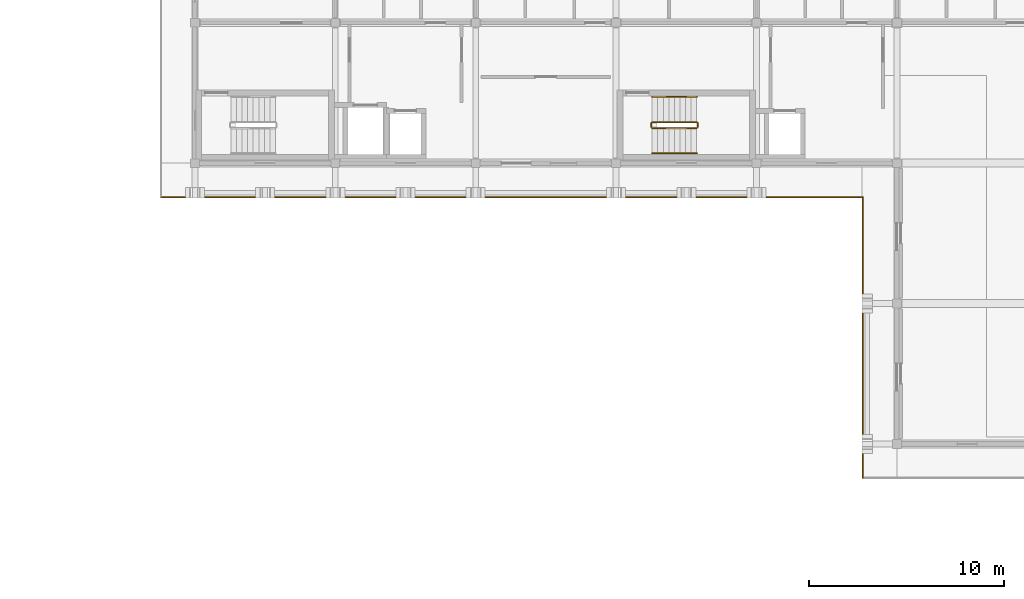
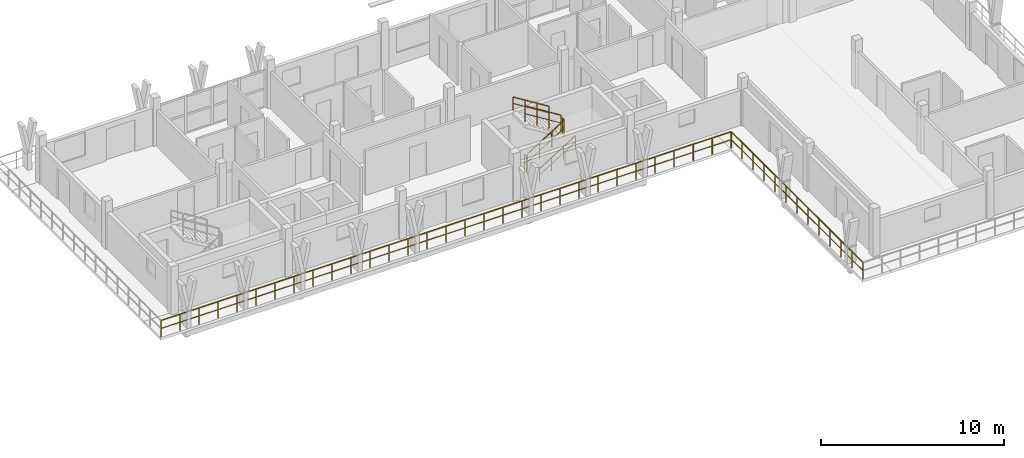
# One storey, part 55 of 56: 8 railings.
"""IFC4 building model written with IfcOpenShell, lengths in metres."""

import ifcopenshell
import ifcopenshell.guid

model = None  # the IFC model being written
_history = None  # IfcOwnerHistory: only IFC2X3 demands one
_inside = {}  # id of a spatial element -> (the spatial element, [elements in it])
_under = {}  # id of a project, library or spatial element -> (it, [spatial elements below it])
_declared = {}  # id of a project -> (the project, [libraries it declares])
_typed = {}  # id of a type object -> (the type object, [elements of that type])
_made_of = {}  # id of a material, layer set ... -> (it, [elements and type objects made of it])


def new_model(schema):
    """Start an empty IFC model of exactly this schema.

    Asked for "IFC4X3", IfcOpenShell would pick the latest addendum, in which some entities
    have other attributes; the version numbers below select the first issue.
    IFC2X3 requires an IfcOwnerHistory on every rooted entity: one is made here for all.
    """
    global model, _history
    if schema == "IFC4X3":
        model = ifcopenshell.file(schema_version=(4, 3, 0, 0))
    else:
        model = ifcopenshell.file(schema=schema)
    _inside.clear()
    _under.clear()
    _declared.clear()
    _typed.clear()
    _made_of.clear()
    _history = None
    if model.schema == "IFC2X3":
        org = make("IfcOrganization", Name="unknown")
        user = make(
            "IfcPersonAndOrganization",
            ThePerson=make("IfcPerson", FamilyName="unknown"),
            TheOrganization=org,
        )
        app = make(
            "IfcApplication",
            ApplicationDeveloper=org,
            Version="unknown",
            ApplicationFullName="unknown",
            ApplicationIdentifier="unknown",
        )
        _history = make(
            "IfcOwnerHistory",
            OwningUser=user,
            OwningApplication=app,
            ChangeAction="ADDED",
            CreationDate=0,
        )
    return model


def make(cls, **values):
    """One entity of the class cls with the attributes given. An attribute that is None is left unset."""
    return model.create_entity(
        cls, **{name: value for name, value in values.items() if value is not None}
    )


def rooted(cls, **values):
    """An entity with a GlobalId (a new one), such as an element, a storey or a relation."""
    return make(cls, GlobalId=ifcopenshell.guid.new(), OwnerHistory=_history, **values)


def si_unit(unit_type, name, prefix=None):
    """IfcSIUnit, for example si_unit("LENGTHUNIT", "METRE", prefix="MILLI")."""
    return make("IfcSIUnit", UnitType=unit_type, Prefix=prefix, Name=name)


def assignment(units):
    """IfcUnitAssignment: the units of a project."""
    return None if units is None else make("IfcUnitAssignment", Units=units)


def point(xyz):
    """IfcCartesianPoint."""
    return None if xyz is None else make("IfcCartesianPoint", Coordinates=xyz)


def direction(xyz):
    """IfcDirection."""
    return None if xyz is None else make("IfcDirection", DirectionRatios=xyz)


def frame(location, z_axis=None, x_axis=None):
    """IfcAxis2Placement3D, a coordinate frame: its origin and axes. An axis left out is left unset."""
    return make(
        "IfcAxis2Placement3D",
        Location=point(location),
        Axis=direction(z_axis),
        RefDirection=direction(x_axis),
    )


def frame_2d(location, x_axis=None):
    """IfcAxis2Placement2D, a coordinate frame in the plane: its origin and x axis."""
    return make(
        "IfcAxis2Placement2D", Location=point(location), RefDirection=direction(x_axis)
    )


def origin():
    """The frame at (0, 0, 0) with its axes left unset."""
    return frame((0.0, 0.0, 0.0))


def origin_2d():
    """The frame at (0, 0) in the plane with its x axis left unset."""
    return frame_2d((0.0, 0.0))


def place(relative_to, where):
    """IfcLocalPlacement: puts the frame where relative to a parent placement (None: the world)."""
    return make(
        "IfcLocalPlacement", PlacementRelTo=relative_to, RelativePlacement=where
    )


def context(
    kind, dimensions, precision=None, world=None, true_north=None, identifier=None
):
    """IfcGeometricRepresentationContext, for example the 3D "Model" context."""
    return make(
        "IfcGeometricRepresentationContext",
        ContextIdentifier=identifier,
        ContextType=kind,
        CoordinateSpaceDimension=dimensions,
        Precision=precision,
        WorldCoordinateSystem=world,
        TrueNorth=true_north,
    )


def subcontext(parent, identifier, kind, view, scale=None):
    """IfcGeometricRepresentationSubContext, for example "Body" below "Model"."""
    return make(
        "IfcGeometricRepresentationSubContext",
        ContextIdentifier=identifier,
        ContextType=kind,
        ParentContext=parent,
        TargetScale=scale,
        TargetView=view,
    )


def project(units=None, contexts=None):
    """IfcProject with its units and contexts."""
    return rooted(
        "IfcProject",
        Name="project",
        RepresentationContexts=contexts,
        UnitsInContext=assignment(units),
    )


def spatial(cls, under=None, at=None, **own):
    """A site, building, storey or space (cls), placed at a placement, below another one or the project."""
    s = rooted(cls, ObjectPlacement=at, **own)
    if under is not None:
        _under.setdefault(under.id(), (under, []))[1].append(s)
    return s


def profile(cls, at=None, kind="AREA", **sizes):
    """A parametric profile (cls). Its sizes go by their IFC names, for example OverallWidth=200.0."""
    return make(cls, ProfileType=kind, Position=at, **sizes)


def rectangle(**sizes):
    """IfcRectangleProfileDef."""
    return profile("IfcRectangleProfileDef", **sizes)


def extrude(swept, where, along, depth):
    """IfcExtrudedAreaSolid: the profile swept, set in the frame where, extruded along a direction by depth."""
    return make(
        "IfcExtrudedAreaSolid",
        SweptArea=swept,
        Position=where,
        ExtrudedDirection=direction(along),
        Depth=depth,
    )


def shape(context_of_items, identifier, shape_type, items):
    """IfcShapeRepresentation: the items that make up one representation, for example the "Body"."""
    return make(
        "IfcShapeRepresentation",
        ContextOfItems=context_of_items,
        RepresentationIdentifier=identifier,
        RepresentationType=shape_type,
        Items=items,
    )


def material(Name=None, Category=None):
    """IfcMaterial."""
    return make("IfcMaterial", Name=Name, Category=Category)


def made_of(thing, what):
    """Note that an element or type object is made of a material, layer set ...; save() writes the relation."""
    if what is not None:
        _made_of.setdefault(what.id(), (what, []))[1].append(thing)
    return thing


def type_object(cls, material=None, **own):
    """A type object (cls), such as IfcWallType, which elements share."""
    return made_of(rooted(cls, **own), material)


def element(
    cls,
    number,
    at=None,
    inside=None,
    cuts=None,
    type_object=None,
    material=None,
    context=None,
    identifier="Body",
    shape_type=None,
    held_by="IfcProductDefinitionShape",
    body=None,
    shapes=None,
    **own,
):
    """One element of the class cls, such as IfcWall. Its Tag is "e" and its number.

    at: its placement. inside: the storey or other place that contains it. cuts: it is an
    opening in that element (IfcRelVoidsElement). A single representation is given by context,
    identifier, shape_type and body (its items); several are given by shapes. held_by: the class
    of the entity that holds the representations. save() writes the other relations.
    """
    e = rooted(cls, Tag="e%d" % number, ObjectPlacement=at, **own)
    if body is not None:
        shapes = [shape(context, identifier, shape_type, body)]
    if shapes is not None:
        e.Representation = make(held_by, Representations=shapes)
    if inside is not None:
        _inside.setdefault(inside.id(), (inside, []))[1].append(e)
    if cuts is not None:
        rooted(
            "IfcRelVoidsElement", RelatingBuildingElement=cuts, RelatedOpeningElement=e
        )
    if type_object is not None:
        _typed.setdefault(type_object.id(), (type_object, []))[1].append(e)
    return made_of(e, material)


def aggregate(whole, parts):
    """IfcRelAggregates: a whole, such as a stair, and the parts it consists of."""
    return rooted("IfcRelAggregates", RelatingObject=whole, RelatedObjects=parts)


def save(model, path):
    """Write the relations noted so far, then the file.

    IfcRelAggregates (storeys below a building ...), IfcRelContainedInSpatialStructure (elements
    in a storey), IfcRelDefinesByType, IfcRelAssociatesMaterial and IfcRelDeclares: one each for
    every whole, place, type object, material and project.
    """
    for whole, parts in _under.values():
        aggregate(whole, parts)
    for where, things in _inside.values():
        rooted(
            "IfcRelContainedInSpatialStructure",
            RelatedElements=things,
            RelatingStructure=where,
        )
    for kind, things in _typed.values():
        rooted("IfcRelDefinesByType", RelatedObjects=things, RelatingType=kind)
    for what, things in _made_of.values():
        rooted("IfcRelAssociatesMaterial", RelatedObjects=things, RelatingMaterial=what)
    for by, libraries in _declared.values():
        rooted("IfcRelDeclares", RelatingContext=by, RelatedDefinitions=libraries)
    model.write(path)


model = new_model("IFC4")

# Units and contexts
model_context = context("Model", 3, precision=1e-05, world=origin(), true_north=direction((0.0, 1.0)))
body_context = subcontext(model_context, "Body", "Model", "MODEL_VIEW")
ifc_project = project(units=[si_unit("LENGTHUNIT", "METRE"), si_unit("AREAUNIT", "SQUARE_METRE"), si_unit("VOLUMEUNIT", "CUBIC_METRE"), si_unit("PLANEANGLEUNIT", "RADIAN"), si_unit("MASSUNIT", "GRAM", prefix="KILO")], contexts=[model_context])

# Site, building, storey
site_placement = place(None, origin())
site = spatial("IfcSite", under=ifc_project, at=site_placement, CompositionType="ELEMENT")
building_placement = place(site_placement, origin())
building = spatial("IfcBuilding", under=site, at=building_placement, Name="Suanplinth Sawtooth Commons", CompositionType="ELEMENT")
storey_placement = place(building_placement, frame((0.0, 0.0, 34.800048828125)))
storey = spatial("IfcBuildingStorey", under=building, at=storey_placement, Name="L10", CompositionType="ELEMENT", Elevation=34.800048828125)

# Railings
ifc_material_1 = material(Name="Powder-coated galvanized steel", Category="steel")
railing_type_1 = type_object("IfcRailingType", Name="GR-01", PredefinedType="BALUSTRADE", material=ifc_material_1)
railing_1_placement = place(storey_placement, frame((171.06005859375, 91.860107421875, 0.0)))
element("IfcRailing", 1, at=railing_1_placement, inside=storey, type_object=railing_type_1, Name="L10 Block B Perimeter Balustrade 1", PredefinedType="BALUSTRADE", context=body_context, shape_type="SweptSolid", body=[
    extrude(rectangle(XDim=0.048095703125, YDim=0.048095703125, at=origin_2d()), frame((0.0, 0.0, 1.09619140625), z_axis=(0.0, 1.0, 0.0), x_axis=(-1.0, 0.0, 0.0)), (0.0, 0.0, 1.0), 14.39990234375),
    extrude(rectangle(XDim=0.03369140625, YDim=0.03369140625, at=origin_2d()), frame((0.0, 0.0, 0.56005859375), z_axis=(0.0, 1.0, 0.0), x_axis=(-1.0, 0.0, 0.0)), (0.0, 0.0, 1.0), 14.39990234375),
    extrude(rectangle(XDim=0.0419921875, YDim=0.0419921875, at=origin_2d()), origin(), (0.0, 0.0, 1.0), 1.072021484375),
    extrude(rectangle(XDim=0.0419921875, YDim=0.0419921875, at=origin_2d()), frame((0.0, 1.199951171875, 0.0)), (0.0, 0.0, 1.0), 1.072021484375),
    extrude(rectangle(XDim=0.0419921875, YDim=0.0419921875, at=origin_2d()), frame((0.0, 2.39990234375, 0.0)), (0.0, 0.0, 1.0), 1.072021484375),
    extrude(rectangle(XDim=0.0419921875, YDim=0.0419921875, at=origin_2d()), frame((0.0, 3.60009765625, 0.0)), (0.0, 0.0, 1.0), 1.072021484375),
    extrude(rectangle(XDim=0.0419921875, YDim=0.0419921875, at=origin_2d()), frame((0.0, 4.800048828125, 0.0)), (0.0, 0.0, 1.0), 1.072021484375),
    extrude(rectangle(XDim=0.0419921875, YDim=0.0419921875, at=origin_2d()), frame((0.0, 6.0, 0.0)), (0.0, 0.0, 1.0), 1.072021484375),
    extrude(rectangle(XDim=0.0419921875, YDim=0.0419921875, at=origin_2d()), frame((0.0, 7.199951171875, 0.0)), (0.0, 0.0, 1.0), 1.072021484375),
    extrude(rectangle(XDim=0.0419921875, YDim=0.0419921875, at=origin_2d()), frame((0.0, 8.39990234375, 0.0)), (0.0, 0.0, 1.0), 1.072021484375),
    extrude(rectangle(XDim=0.0419921875, YDim=0.0419921875, at=origin_2d()), frame((0.0, 9.599853515625, 0.0)), (0.0, 0.0, 1.0), 1.072021484375),
    extrude(rectangle(XDim=0.0419921875, YDim=0.0419921875, at=origin_2d()), frame((0.0, 10.7998046875, 0.0)), (0.0, 0.0, 1.0), 1.072021484375),
    extrude(rectangle(XDim=0.0419921875, YDim=0.0419921875, at=origin_2d()), frame((0.0, 12.0, 0.0)), (0.0, 0.0, 1.0), 1.072021484375),
    extrude(rectangle(XDim=0.0419921875, YDim=0.0419921875, at=origin_2d()), frame((0.0, 13.199951171875, 0.0)), (0.0, 0.0, 1.0), 1.072021484375),
    extrude(rectangle(XDim=0.0419921875, YDim=0.0419921875, at=origin_2d()), frame((0.0, 14.39990234375, 0.0)), (0.0, 0.0, 1.0), 1.072021484375),
])
railing_2_placement = place(storey_placement, frame((171.06005859375, 106.260009765625, 0.0)))
element("IfcRailing", 2, at=railing_2_placement, inside=storey, type_object=railing_type_1, Name="L10 Block B Perimeter Balustrade 2", PredefinedType="BALUSTRADE", context=body_context, shape_type="SweptSolid", body=[
    extrude(rectangle(XDim=0.048095703125, YDim=0.048095703125, at=origin_2d()), frame((0.0, 0.0, 1.09619140625), z_axis=(-1.0, 0.0, 0.0), x_axis=(0.0, -1.0, 0.0)), (0.0, 0.0, 1.0), 36.0),
    extrude(rectangle(XDim=0.03369140625, YDim=0.03369140625, at=origin_2d()), frame((0.0, 0.0, 0.56005859375), z_axis=(-1.0, 0.0, 0.0), x_axis=(0.0, -1.0, 0.0)), (0.0, 0.0, 1.0), 36.0),
    extrude(rectangle(XDim=0.0419921875, YDim=0.0419921875, at=origin_2d()), origin(), (0.0, 0.0, 1.0), 1.072021484375),
    extrude(rectangle(XDim=0.0419921875, YDim=0.0419921875, at=origin_2d()), frame((-1.199951171875, 0.0, 0.0)), (0.0, 0.0, 1.0), 1.072021484375),
    extrude(rectangle(XDim=0.0419921875, YDim=0.0419921875, at=origin_2d()), frame((-2.39990234375, 0.0, 0.0)), (0.0, 0.0, 1.0), 1.072021484375),
    extrude(rectangle(XDim=0.0419921875, YDim=0.0419921875, at=origin_2d()), frame((-3.60009765625, 0.0, 0.0)), (0.0, 0.0, 1.0), 1.072021484375),
    extrude(rectangle(XDim=0.0419921875, YDim=0.0419921875, at=origin_2d()), frame((-4.800048828125, 0.0, 0.0)), (0.0, 0.0, 1.0), 1.072021484375),
    extrude(rectangle(XDim=0.0419921875, YDim=0.0419921875, at=origin_2d()), frame((-6.0, 0.0, 0.0)), (0.0, 0.0, 1.0), 1.072021484375),
    extrude(rectangle(XDim=0.0419921875, YDim=0.0419921875, at=origin_2d()), frame((-7.199951171875, 0.0, 0.0)), (0.0, 0.0, 1.0), 1.072021484375),
    extrude(rectangle(XDim=0.0419921875, YDim=0.0419921875, at=origin_2d()), frame((-8.39990234375, 0.0, 0.0)), (0.0, 0.0, 1.0), 1.072021484375),
    extrude(rectangle(XDim=0.0419921875, YDim=0.0419921875, at=origin_2d()), frame((-9.60009765625, 0.0, 0.0)), (0.0, 0.0, 1.0), 1.072021484375),
    extrude(rectangle(XDim=0.0419921875, YDim=0.0419921875, at=origin_2d()), frame((-10.800048828125, 0.0, 0.0)), (0.0, 0.0, 1.0), 1.072021484375),
    extrude(rectangle(XDim=0.0419921875, YDim=0.0419921875, at=origin_2d()), frame((-12.0, 0.0, 0.0)), (0.0, 0.0, 1.0), 1.072021484375),
    extrude(rectangle(XDim=0.0419921875, YDim=0.0419921875, at=origin_2d()), frame((-13.199951171875, 0.0, 0.0)), (0.0, 0.0, 1.0), 1.072021484375),
    extrude(rectangle(XDim=0.0419921875, YDim=0.0419921875, at=origin_2d()), frame((-14.39990234375, 0.0, 0.0)), (0.0, 0.0, 1.0), 1.072021484375),
    extrude(rectangle(XDim=0.0419921875, YDim=0.0419921875, at=origin_2d()), frame((-15.60009765625, 0.0, 0.0)), (0.0, 0.0, 1.0), 1.072021484375),
    extrude(rectangle(XDim=0.0419921875, YDim=0.0419921875, at=origin_2d()), frame((-16.800048828125, 0.0, 0.0)), (0.0, 0.0, 1.0), 1.072021484375),
    extrude(rectangle(XDim=0.0419921875, YDim=0.0419921875, at=origin_2d()), frame((-18.0, 0.0, 0.0)), (0.0, 0.0, 1.0), 1.072021484375),
    extrude(rectangle(XDim=0.0419921875, YDim=0.0419921875, at=origin_2d()), frame((-19.199951171875, 0.0, 0.0)), (0.0, 0.0, 1.0), 1.072021484375),
    extrude(rectangle(XDim=0.0419921875, YDim=0.0419921875, at=origin_2d()), frame((-20.39990234375, 0.0, 0.0)), (0.0, 0.0, 1.0), 1.072021484375),
    extrude(rectangle(XDim=0.0419921875, YDim=0.0419921875, at=origin_2d()), frame((-21.60009765625, 0.0, 0.0)), (0.0, 0.0, 1.0), 1.072021484375),
    extrude(rectangle(XDim=0.0419921875, YDim=0.0419921875, at=origin_2d()), frame((-22.800048828125, 0.0, 0.0)), (0.0, 0.0, 1.0), 1.072021484375),
    extrude(rectangle(XDim=0.0419921875, YDim=0.0419921875, at=origin_2d()), frame((-24.0, 0.0, 0.0)), (0.0, 0.0, 1.0), 1.072021484375),
    extrude(rectangle(XDim=0.0419921875, YDim=0.0419921875, at=origin_2d()), frame((-25.199951171875, 0.0, 0.0)), (0.0, 0.0, 1.0), 1.072021484375),
    extrude(rectangle(XDim=0.0419921875, YDim=0.0419921875, at=origin_2d()), frame((-26.39990234375, 0.0, 0.0)), (0.0, 0.0, 1.0), 1.072021484375),
    extrude(rectangle(XDim=0.0419921875, YDim=0.0419921875, at=origin_2d()), frame((-27.60009765625, 0.0, 0.0)), (0.0, 0.0, 1.0), 1.072021484375),
    extrude(rectangle(XDim=0.0419921875, YDim=0.0419921875, at=origin_2d()), frame((-28.800048828125, 0.0, 0.0)), (0.0, 0.0, 1.0), 1.072021484375),
    extrude(rectangle(XDim=0.0419921875, YDim=0.0419921875, at=origin_2d()), frame((-30.0, 0.0, 0.0)), (0.0, 0.0, 1.0), 1.072021484375),
    extrude(rectangle(XDim=0.0419921875, YDim=0.0419921875, at=origin_2d()), frame((-31.199951171875, 0.0, 0.0)), (0.0, 0.0, 1.0), 1.072021484375),
    extrude(rectangle(XDim=0.0419921875, YDim=0.0419921875, at=origin_2d()), frame((-32.39990234375, 0.0, 0.0)), (0.0, 0.0, 1.0), 1.072021484375),
    extrude(rectangle(XDim=0.0419921875, YDim=0.0419921875, at=origin_2d()), frame((-33.60009765625, 0.0, 0.0)), (0.0, 0.0, 1.0), 1.072021484375),
    extrude(rectangle(XDim=0.0419921875, YDim=0.0419921875, at=origin_2d()), frame((-34.800048828125, 0.0, 0.0)), (0.0, 0.0, 1.0), 1.072021484375),
    extrude(rectangle(XDim=0.0419921875, YDim=0.0419921875, at=origin_2d()), frame((-36.0, 0.0, 0.0)), (0.0, 0.0, 1.0), 1.072021484375),
])
ifc_material_2 = material(Name="Stainless steel Grade 304", Category="steel")
railing_type_2 = type_object("IfcRailingType", Name="GR-04", PredefinedType="GUARDRAIL", material=ifc_material_2)
railing_3_placement = place(storey_placement, frame((160.25, 109.800048828125, 0.177734375)))
element("IfcRailing", 3, at=railing_3_placement, inside=storey, type_object=railing_type_2, Name="L10 ST-E2 Guard 1", PredefinedType="GUARDRAIL", context=body_context, shape_type="SweptSolid", body=[
    extrude(rectangle(XDim=0.048095703125, YDim=0.048095703125, at=origin_2d()), frame((0.0, 0.0, 1.076171875), z_axis=(0.848482842525, 0.0, 0.529222888715), x_axis=(0.0, 1.0, 0.0)), (0.0, 0.0, 1.0), 2.687255859375),
    extrude(rectangle(XDim=0.03369140625, YDim=0.03369140625, at=origin_2d()), frame((0.0, 0.0, 0.550048828125), z_axis=(0.848482842525, 0.0, 0.529222888715), x_axis=(0.0, 1.0, 0.0)), (0.0, 0.0, 1.0), 2.687255859375),
    extrude(rectangle(XDim=0.0419921875, YDim=0.0419921875, at=origin_2d()), origin(), (0.0, 0.0, 1.0), 1.052001953125),
    extrude(rectangle(XDim=0.0419921875, YDim=0.0419921875, at=origin_2d()), frame((0.760009765625, 0.0, 0.47412109375)), (0.0, 0.0, 1.0), 1.052001953125),
    extrude(rectangle(XDim=0.0419921875, YDim=0.0419921875, at=origin_2d()), frame((1.52001953125, 0.0, 0.947998046875)), (0.0, 0.0, 1.0), 1.052001953125),
    extrude(rectangle(XDim=0.0419921875, YDim=0.0419921875, at=origin_2d()), frame((2.280029296875, 0.0, 1.422119140625)), (0.0, 0.0, 1.0), 1.052001953125),
])
railing_4_placement = place(storey_placement, frame((162.580078125, 109.85009765625, 1.599853515625)))
element("IfcRailing", 4, at=railing_4_placement, inside=storey, type_object=railing_type_2, Name="L10 ST-E2 Guard 2", PredefinedType="GUARDRAIL", context=body_context, shape_type="SweptSolid", body=[
    extrude(rectangle(XDim=0.048095703125, YDim=0.048095703125, at=origin_2d()), frame((0.0, 0.0, 1.076171875), z_axis=(0.0, 1.0, 0.0), x_axis=(-1.0, 0.0, 0.0)), (0.0, 0.0, 1.0), 0.199951171875),
    extrude(rectangle(XDim=0.03369140625, YDim=0.03369140625, at=origin_2d()), frame((0.0, 0.0, 0.550048828125), z_axis=(0.0, 1.0, 0.0), x_axis=(-1.0, 0.0, 0.0)), (0.0, 0.0, 1.0), 0.199951171875),
    extrude(rectangle(XDim=0.0419921875, YDim=0.0419921875, at=origin_2d()), origin(), (0.0, 0.0, 1.0), 1.052001953125),
    extrude(rectangle(XDim=0.0419921875, YDim=0.0419921875, at=origin_2d()), frame((0.0, 0.199951171875, 0.0)), (0.0, 0.0, 1.0), 1.052001953125),
])
railing_5_placement = place(storey_placement, frame((162.530029296875, 110.10009765625, 1.77783203125)))
element("IfcRailing", 5, at=railing_5_placement, inside=storey, type_object=railing_type_2, Name="L10 ST-E2 Guard 3", PredefinedType="GUARDRAIL", context=body_context, shape_type="SweptSolid", body=[
    extrude(rectangle(XDim=0.048095703125, YDim=0.048095703125, at=origin_2d()), frame((0.0, 0.0, 1.076171875), z_axis=(-0.848482842525, 0.0, 0.529222888715), x_axis=(0.0, -1.0, 0.0)), (0.0, 0.0, 1.0), 2.687255859375),
    extrude(rectangle(XDim=0.03369140625, YDim=0.03369140625, at=origin_2d()), frame((0.0, 0.0, 0.550048828125), z_axis=(-0.848482842525, 0.0, 0.529222888715), x_axis=(0.0, -1.0, 0.0)), (0.0, 0.0, 1.0), 2.687255859375),
    extrude(rectangle(XDim=0.0419921875, YDim=0.0419921875, at=origin_2d()), origin(), (0.0, 0.0, 1.0), 1.052001953125),
    extrude(rectangle(XDim=0.0419921875, YDim=0.0419921875, at=origin_2d()), frame((-0.760009765625, 0.0, 0.47412109375)), (0.0, 0.0, 1.0), 1.052001953125),
    extrude(rectangle(XDim=0.0419921875, YDim=0.0419921875, at=origin_2d()), frame((-1.52001953125, 0.0, 0.947998046875)), (0.0, 0.0, 1.0), 1.052001953125),
    extrude(rectangle(XDim=0.0419921875, YDim=0.0419921875, at=origin_2d()), frame((-2.280029296875, 0.0, 1.422119140625)), (0.0, 0.0, 1.0), 1.052001953125),
])
railing_6_placement = place(storey_placement, frame((160.199951171875, 109.85009765625, 0.0)))
element("IfcRailing", 6, at=railing_6_placement, inside=storey, type_object=railing_type_2, Name="L10 ST-E2 Guard 4", PredefinedType="GUARDRAIL", context=body_context, shape_type="SweptSolid", body=[
    extrude(rectangle(XDim=0.048095703125, YDim=0.048095703125, at=origin_2d()), frame((0.0, 0.0, 1.076171875), z_axis=(0.0, 1.0, 0.0), x_axis=(-1.0, 0.0, 0.0)), (0.0, 0.0, 1.0), 0.199951171875),
    extrude(rectangle(XDim=0.03369140625, YDim=0.03369140625, at=origin_2d()), frame((0.0, 0.0, 0.550048828125), z_axis=(0.0, 1.0, 0.0), x_axis=(-1.0, 0.0, 0.0)), (0.0, 0.0, 1.0), 0.199951171875),
    extrude(rectangle(XDim=0.0419921875, YDim=0.0419921875, at=origin_2d()), origin(), (0.0, 0.0, 1.0), 1.052001953125),
    extrude(rectangle(XDim=0.0419921875, YDim=0.0419921875, at=origin_2d()), frame((0.0, 0.199951171875, 0.0)), (0.0, 0.0, 1.0), 1.052001953125),
])
railing_type_3 = type_object("IfcRailingType", Name="HR-01", PredefinedType="HANDRAIL", material=ifc_material_2)
railing_7_placement = place(storey_placement, frame((160.25, 108.5, 0.177734375)))
element("IfcRailing", 7, at=railing_7_placement, inside=storey, type_object=railing_type_3, Name="L10 ST-E2 Handrail 1", PredefinedType="HANDRAIL", context=body_context, shape_type="SweptSolid", body=[
    extrude(rectangle(XDim=0.048095703125, YDim=0.048095703125, at=origin_2d()), frame((0.0, 0.0, 0.8759765625), z_axis=(0.848482842525, 0.0, 0.529222888715), x_axis=(0.0, 1.0, 0.0)), (0.0, 0.0, 1.0), 2.687255859375),
    extrude(rectangle(XDim=0.03369140625, YDim=0.03369140625, at=origin_2d()), frame((0.0, 0.0, 0.449951171875), z_axis=(0.848482842525, 0.0, 0.529222888715), x_axis=(0.0, 1.0, 0.0)), (0.0, 0.0, 1.0), 2.687255859375),
    extrude(rectangle(XDim=0.0419921875, YDim=0.0419921875, at=origin_2d()), origin(), (0.0, 0.0, 1.0), 0.851806640625),
    extrude(rectangle(XDim=0.0419921875, YDim=0.0419921875, at=origin_2d()), frame((0.760009765625, 0.0, 0.47412109375)), (0.0, 0.0, 1.0), 0.851806640625),
    extrude(rectangle(XDim=0.0419921875, YDim=0.0419921875, at=origin_2d()), frame((1.52001953125, 0.0, 0.947998046875)), (0.0, 0.0, 1.0), 0.851806640625),
    extrude(rectangle(XDim=0.0419921875, YDim=0.0419921875, at=origin_2d()), frame((2.280029296875, 0.0, 1.422119140625)), (0.0, 0.0, 1.0), 0.851806640625),
])
railing_8_placement = place(storey_placement, frame((162.530029296875, 111.39990234375, 1.77783203125)))
element("IfcRailing", 8, at=railing_8_placement, inside=storey, type_object=railing_type_3, Name="L10 ST-E2 Handrail 2", PredefinedType="HANDRAIL", context=body_context, shape_type="SweptSolid", body=[
    extrude(rectangle(XDim=0.048095703125, YDim=0.048095703125, at=origin_2d()), frame((0.0, 0.0, 0.8759765625), z_axis=(-0.848482842525, 0.0, 0.529222888715), x_axis=(0.0, -1.0, 0.0)), (0.0, 0.0, 1.0), 2.687255859375),
    extrude(rectangle(XDim=0.03369140625, YDim=0.03369140625, at=origin_2d()), frame((0.0, 0.0, 0.449951171875), z_axis=(-0.848482842525, 0.0, 0.529222888715), x_axis=(0.0, -1.0, 0.0)), (0.0, 0.0, 1.0), 2.687255859375),
    extrude(rectangle(XDim=0.0419921875, YDim=0.0419921875, at=origin_2d()), origin(), (0.0, 0.0, 1.0), 0.851806640625),
    extrude(rectangle(XDim=0.0419921875, YDim=0.0419921875, at=origin_2d()), frame((-0.760009765625, 0.0, 0.47412109375)), (0.0, 0.0, 1.0), 0.851806640625),
    extrude(rectangle(XDim=0.0419921875, YDim=0.0419921875, at=origin_2d()), frame((-1.52001953125, 0.0, 0.947998046875)), (0.0, 0.0, 1.0), 0.851806640625),
    extrude(rectangle(XDim=0.0419921875, YDim=0.0419921875, at=origin_2d()), frame((-2.280029296875, 0.0, 1.422119140625)), (0.0, 0.0, 1.0), 0.851806640625),
])

save(model, "model.ifc")
